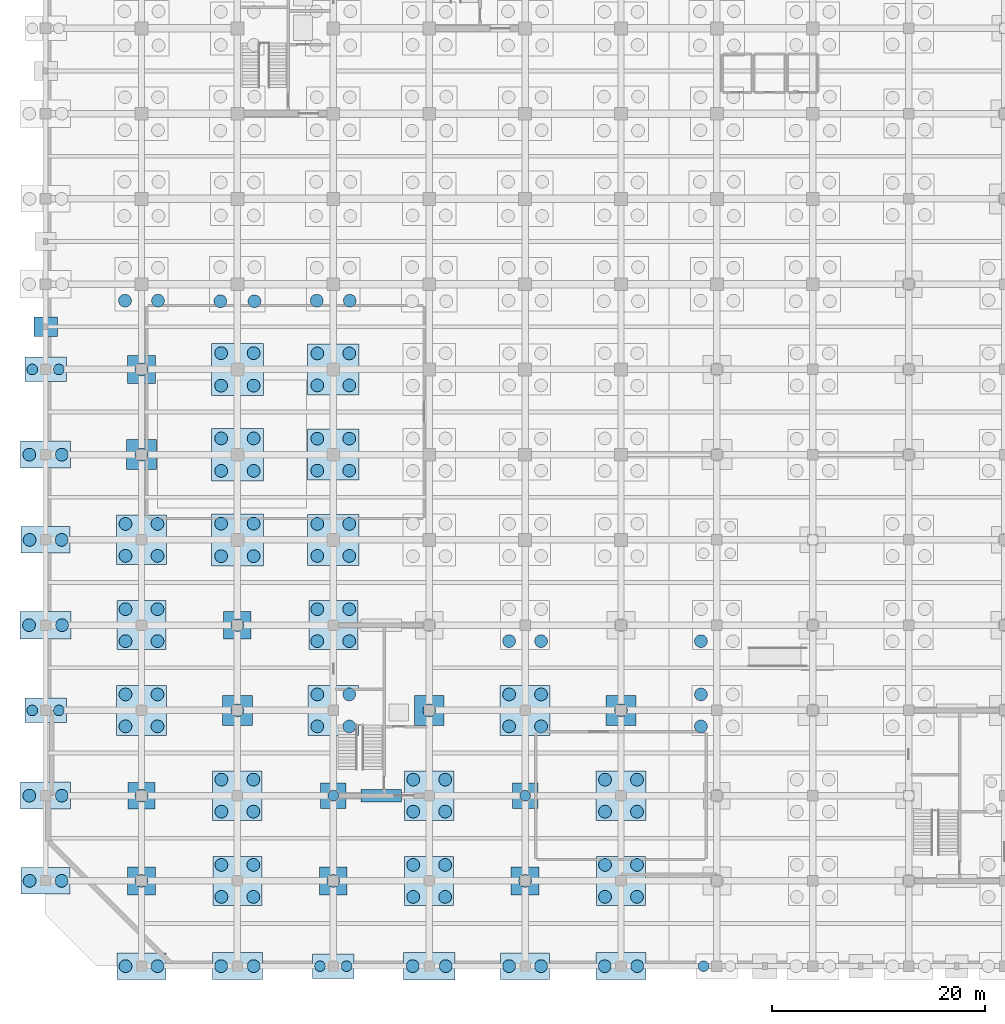
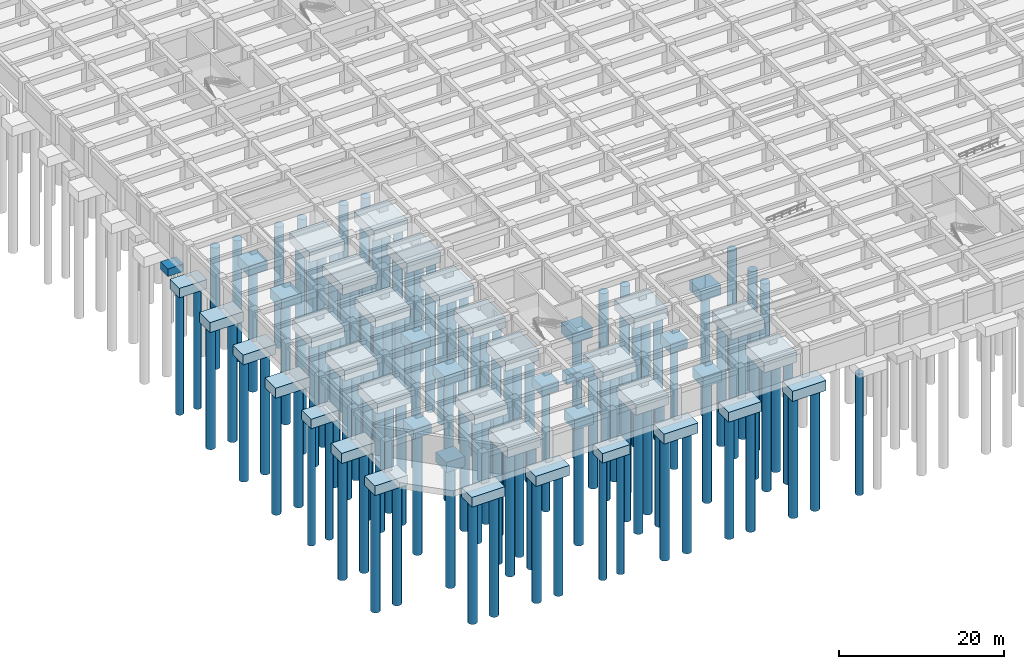
# One storey, part 1 of 31: 122 piles, 45 footings.
"""IFC4 building model written with IfcOpenShell, lengths in metres."""

from ifc_helpers import new_model, si_unit, direction, frame, origin, origin_2d, place, context, subcontext, project, spatial, polyline, rectangle, circle, outline, extrude, material, layer, layer_set, material_profile, profile_set, type_object, element, save


model = new_model("IFC4")

# Units and contexts
model_context = context("Model", 3, precision=1e-05, world=origin(), true_north=direction((0.0, 1.0)))
body_context = subcontext(model_context, "Body", "Model", "MODEL_VIEW")
ifc_project = project(units=[si_unit("LENGTHUNIT", "METRE"), si_unit("AREAUNIT", "SQUARE_METRE"), si_unit("VOLUMEUNIT", "CUBIC_METRE"), si_unit("PLANEANGLEUNIT", "RADIAN"), si_unit("MASSUNIT", "GRAM", prefix="KILO")], contexts=[model_context])

# Site, building, storey
site_placement = place(None, origin())
site = spatial("IfcSite", under=ifc_project, at=site_placement, CompositionType="ELEMENT")
building_placement = place(site_placement, origin())
building = spatial("IfcBuilding", under=site, at=building_placement, Name="Zaverband Oceanarium and Marine Research Institute", CompositionType="ELEMENT")
storey_placement = place(building_placement, frame((0.0, 0.0, -9.0)))
storey = spatial("IfcBuildingStorey", under=building, at=storey_placement, Name="B2", CompositionType="ELEMENT", Elevation=-9.0)

# Footings
ifc_material_1 = material(Name="Concrete C50/60", Category="concrete")
ifc_layer_1 = layer(ifc_material_1, 1.39990234375, Name="Concrete C50/60")
ifc_layer_set_1 = layer_set([ifc_layer_1], Name="Concrete C50/60")
footing_type_1 = type_object("IfcFootingType", Name="PC-2400x2400x1400", PredefinedType="PILE_CAP", material=ifc_layer_set_1)
for number, where, z_axis, x_axis, name in (
    (1, (27.0, 16.0, -2.300048828125), (0.0, 0.0, 1.0), (1.0, 0.0, 0.0), "Reinforced concrete pile cap PC-2400x2400x1400"),
    (2, (45.0, 16.0, -2.300048828125), (0.0, 0.0, 1.0), (1.0, 0.0, 0.0), "Reinforced concrete pile cap PC-2400x2400x1400"),
):
    element("IfcFooting", number, at=place(storey_placement, frame(where, z_axis=z_axis, x_axis=x_axis)), inside=storey, type_object=footing_type_1, Name=name, PredefinedType="PILE_CAP", context=body_context, shape_type="SweptSolid", body=[
        extrude(rectangle(XDim=2.39990234375, YDim=2.39990234375, at=origin_2d()), origin(), (0.0, 0.0, 1.0), 1.39990234375),
    ])
ifc_layer_2 = layer(ifc_material_1, 1.449951171875, Name="Concrete C50/60")
ifc_layer_set_2 = layer_set([ifc_layer_2], Name="Concrete C50/60")
footing_type_2 = type_object("IfcFootingType", Name="PC-2500x2500x1450", PredefinedType="PILE_CAP", material=ifc_layer_set_2)
footing_1_placement = place(storey_placement, frame((9.0, 16.0, -2.35009765625), z_axis=(0.0, 0.0, 1.0), x_axis=(1.0, 0.0, 0.0)))
element("IfcFooting", 3, at=footing_1_placement, inside=storey, type_object=footing_type_2, Name="Reinforced concrete pile cap PC-2500x2500x1450", PredefinedType="PILE_CAP", context=body_context, shape_type="SweptSolid", body=[
    extrude(rectangle(XDim=2.5, YDim=2.5, at=origin_2d()), origin(), (0.0, 0.0, 1.0), 1.449951171875),
])
ifc_layer_3 = layer(ifc_material_1, 1.5, Name="Concrete C50/60")
ifc_layer_set_3 = layer_set([ifc_layer_3], Name="Concrete C50/60")
footing_type_3 = type_object("IfcFootingType", Name="PC-2600x2600x1500", PredefinedType="PILE_CAP", material=ifc_layer_set_3)
for number, where, z_axis, x_axis, name in (
    (4, (9.0, 8.0, -2.39990234375), (0.0, 0.0, 1.0), (1.0, 0.0, 0.0), "Reinforced concrete pile cap PC-2600x2600x1500"),
    (5, (9.0, 56.0, -2.39990234375), (0.0, 0.0, 1.0), (1.0, 0.0, 0.0), "Reinforced concrete pile cap PC-2600x2600x1500"),
    (6, (18.0, 32.0, -2.39990234375), (0.0, 0.0, 1.0), (1.0, 0.0, 0.0), "Reinforced concrete pile cap PC-2600x2600x1500"),
    (7, (27.0, 8.0, -2.39990234375), (0.0, 0.0, 1.0), (1.0, 0.0, 0.0), "Reinforced concrete pile cap PC-2600x2600x1500"),
    (8, (45.0, 8.0, -2.39990234375), (0.0, 0.0, 1.0), (1.0, 0.0, 0.0), "Reinforced concrete pile cap PC-2600x2600x1500"),
):
    element("IfcFooting", number, at=place(storey_placement, frame(where, z_axis=z_axis, x_axis=x_axis)), inside=storey, type_object=footing_type_3, Name=name, PredefinedType="PILE_CAP", context=body_context, shape_type="SweptSolid", body=[
        extrude(rectangle(XDim=2.60009765625, YDim=2.60009765625, at=origin_2d()), origin(), (0.0, 0.0, 1.0), 1.5),
    ])
ifc_layer_4 = layer(ifc_material_1, 1.5, Name="Concrete C50/60")
ifc_layer_set_4 = layer_set([ifc_layer_4], Name="Concrete C50/60")
footing_type_4 = type_object("IfcFootingType", Name="PC-2800x2800x1500", PredefinedType="PILE_CAP", material=ifc_layer_set_4)
for number, where, z_axis, x_axis, name in (
    (9, (9.0, 48.0, -2.39990234375), (0.0, 0.0, 1.0), (1.0, 0.0, 0.0), "Reinforced concrete pile cap PC-2800x2800x1500"),
    (10, (18.0, 24.0, -2.39990234375), (0.0, 0.0, 1.0), (1.0, 0.0, 0.0), "Reinforced concrete pile cap PC-2800x2800x1500"),
    (11, (36.0, 24.0, -2.39990234375), (0.0, 0.0, 1.0), (1.0, 0.0, 0.0), "Reinforced concrete pile cap PC-2800x2800x1500"),
    (12, (54.0, 24.0, -2.39990234375), (0.0, 0.0, 1.0), (1.0, 0.0, 0.0), "Reinforced concrete pile cap PC-2800x2800x1500"),
):
    element("IfcFooting", number, at=place(storey_placement, frame(where, z_axis=z_axis, x_axis=x_axis)), inside=storey, type_object=footing_type_4, Name=name, PredefinedType="PILE_CAP", context=body_context, shape_type="SweptSolid", body=[
        extrude(rectangle(XDim=2.800048828125, YDim=2.800048828125, at=origin_2d()), origin(), (0.0, 0.0, 1.0), 1.5),
    ])
ifc_layer_5 = layer(ifc_material_1, 1.39990234375, Name="Concrete C50/60")
ifc_layer_set_5 = layer_set([ifc_layer_5], Name="Concrete C50/60")
footing_type_5 = type_object("IfcFootingType", Name="PC-3900x2300x1400", PredefinedType="PILE_CAP", material=ifc_layer_set_5)
for number, where, z_axis, x_axis, name in (
    (13, (0.0, 24.0, -2.300048828125), (0.0, 0.0, 1.0), (1.0, 0.0, 0.0), "Reinforced concrete pile cap PC-3900x2300x1400"),
    (14, (0.0, 56.0, -2.300048828125), (0.0, 0.0, 1.0), (1.0, 0.0, 0.0), "Reinforced concrete pile cap PC-3900x2300x1400"),
    (15, (27.0, 0.0, -2.300048828125), (0.0, 0.0, 1.0), (1.0, 0.0, 0.0), "Reinforced concrete pile cap PC-3900x2300x1400"),
):
    element("IfcFooting", number, at=place(storey_placement, frame(where, z_axis=z_axis, x_axis=x_axis)), inside=storey, type_object=footing_type_5, Name=name, PredefinedType="PILE_CAP", context=body_context, shape_type="SweptSolid", body=[
        extrude(rectangle(XDim=3.89990234375, YDim=2.300048828125, at=origin_2d()), origin(), (0.0, 0.0, 1.0), 1.39990234375),
    ])
ifc_layer_6 = layer(ifc_material_1, 1.449951171875, Name="Concrete C50/60")
ifc_layer_set_6 = layer_set([ifc_layer_6], Name="Concrete C50/60")
footing_type_6 = type_object("IfcFootingType", Name="PC-4600x2500x1450", PredefinedType="PILE_CAP", material=ifc_layer_set_6)
for number, where, z_axis, x_axis, name in (
    (16, (0.0, 8.0, -2.35009765625), (0.0, 0.0, 1.0), (1.0, 0.0, 0.0), "Reinforced concrete pile cap PC-4600x2500x1450"),
    (17, (0.0, 40.0, -2.35009765625), (0.0, 0.0, 1.0), (1.0, 0.0, 0.0), "Reinforced concrete pile cap PC-4600x2500x1450"),
    (18, (9.0, 0.0, -2.35009765625), (0.0, 0.0, 1.0), (1.0, 0.0, 0.0), "Reinforced concrete pile cap PC-4600x2500x1450"),
    (19, (45.0, 0.0, -2.35009765625), (0.0, 0.0, 1.0), (1.0, 0.0, 0.0), "Reinforced concrete pile cap PC-4600x2500x1450"),
):
    element("IfcFooting", number, at=place(storey_placement, frame(where, z_axis=z_axis, x_axis=x_axis)), inside=storey, type_object=footing_type_6, Name=name, PredefinedType="PILE_CAP", context=body_context, shape_type="SweptSolid", body=[
        extrude(rectangle(XDim=4.60009765625, YDim=2.5, at=origin_2d()), origin(), (0.0, 0.0, 1.0), 1.449951171875),
    ])
ifc_layer_7 = layer(ifc_material_1, 1.5, Name="Concrete C50/60")
ifc_layer_set_7 = layer_set([ifc_layer_7], Name="Concrete C50/60")
footing_type_7 = type_object("IfcFootingType", Name="PC-4600x4600x1500", PredefinedType="PILE_CAP", material=ifc_layer_set_7)
for number, where, z_axis, x_axis, name in (
    (20, (9.0, 32.0, -2.39990234375), (0.0, 0.0, 1.0), (1.0, 0.0, 0.0), "Reinforced concrete pile cap PC-4600x4600x1500"),
    (21, (18.0, 8.0, -2.39990234375), (0.0, 0.0, 1.0), (1.0, 0.0, 0.0), "Reinforced concrete pile cap PC-4600x4600x1500"),
    (22, (27.0, 32.0, -2.39990234375), (0.0, 0.0, 1.0), (1.0, 0.0, 0.0), "Reinforced concrete pile cap PC-4600x4600x1500"),
    (23, (36.0, 8.0, -2.39990234375), (0.0, 0.0, 1.0), (1.0, 0.0, 0.0), "Reinforced concrete pile cap PC-4600x4600x1500"),
    (24, (54.0, 8.0, -2.39990234375), (0.0, 0.0, 1.0), (1.0, 0.0, 0.0), "Reinforced concrete pile cap PC-4600x4600x1500"),
):
    element("IfcFooting", number, at=place(storey_placement, frame(where, z_axis=z_axis, x_axis=x_axis)), inside=storey, type_object=footing_type_7, Name=name, PredefinedType="PILE_CAP", context=body_context, shape_type="SweptSolid", body=[
        extrude(rectangle(XDim=4.60009765625, YDim=4.60009765625, at=origin_2d()), origin(), (0.0, 0.0, 1.0), 1.5),
    ])
ifc_layer_8 = layer(ifc_material_1, 1.449951171875, Name="Concrete C50/60")
ifc_layer_set_8 = layer_set([ifc_layer_8], Name="Concrete C50/60")
footing_type_8 = type_object("IfcFootingType", Name="PC-4650x4650x1450", PredefinedType="PILE_CAP", material=ifc_layer_set_8)
for number, where, z_axis, x_axis, name in (
    (25, (9.0, 40.0, -2.35009765625), (0.0, 0.0, 1.0), (1.0, 0.0, 0.0), "Reinforced concrete pile cap PC-4650x4650x1450"),
    (26, (18.0, 16.0, -2.35009765625), (0.0, 0.0, 1.0), (1.0, 0.0, 0.0), "Reinforced concrete pile cap PC-4650x4650x1450"),
    (27, (36.0, 16.0, -2.35009765625), (0.0, 0.0, 1.0), (1.0, 0.0, 0.0), "Reinforced concrete pile cap PC-4650x4650x1450"),
    (28, (54.0, 16.0, -2.35009765625), (0.0, 0.0, 1.0), (1.0, 0.0, 0.0), "Reinforced concrete pile cap PC-4650x4650x1450"),
):
    element("IfcFooting", number, at=place(storey_placement, frame(where, z_axis=z_axis, x_axis=x_axis)), inside=storey, type_object=footing_type_8, Name=name, PredefinedType="PILE_CAP", context=body_context, shape_type="SweptSolid", body=[
        extrude(rectangle(XDim=4.64990234375, YDim=4.64990234375, at=origin_2d()), origin(), (0.0, 0.0, 1.0), 1.449951171875),
    ])
ifc_layer_9 = layer(ifc_material_1, 1.5, Name="Concrete C50/60")
ifc_layer_set_9 = layer_set([ifc_layer_9], Name="Concrete C50/60")
footing_type_9 = type_object("IfcFootingType", Name="PC-4700x2550x1500", PredefinedType="PILE_CAP", material=ifc_layer_set_9)
for number, where, z_axis, x_axis, name in (
    (29, (0.0, 16.0, -2.39990234375), (0.0, 0.0, 1.0), (1.0, 0.0, 0.0), "Reinforced concrete pile cap PC-4700x2550x1500"),
    (30, (0.0, 48.0, -2.39990234375), (0.0, 0.0, 1.0), (1.0, 0.0, 0.0), "Reinforced concrete pile cap PC-4700x2550x1500"),
    (31, (18.0, 0.0, -2.39990234375), (0.0, 0.0, 1.0), (1.0, 0.0, 0.0), "Reinforced concrete pile cap PC-4700x2550x1500"),
    (32, (54.0, 0.0, -2.39990234375), (0.0, 0.0, 1.0), (1.0, 0.0, 0.0), "Reinforced concrete pile cap PC-4700x2550x1500"),
):
    element("IfcFooting", number, at=place(storey_placement, frame(where, z_axis=z_axis, x_axis=x_axis)), inside=storey, type_object=footing_type_9, Name=name, PredefinedType="PILE_CAP", context=body_context, shape_type="SweptSolid", body=[
        extrude(rectangle(XDim=4.699951171875, YDim=2.550048828125, at=origin_2d()), origin(), (0.0, 0.0, 1.0), 1.5),
    ])
ifc_layer_10 = layer(ifc_material_1, 1.5, Name="Concrete C50/60")
ifc_layer_set_10 = layer_set([ifc_layer_10], Name="Concrete C50/60")
footing_type_10 = type_object("IfcFootingType", Name="PC-4700x4700x1500", PredefinedType="PILE_CAP", material=ifc_layer_set_10)
for number, where, z_axis, x_axis, name in (
    (33, (9.0, 24.0, -2.39990234375), (0.0, 0.0, 1.0), (1.0, 0.0, 0.0), "Reinforced concrete pile cap PC-4700x4700x1500"),
    (34, (27.0, 24.0, -2.39990234375), (0.0, 0.0, 1.0), (1.0, 0.0, 0.0), "Reinforced concrete pile cap PC-4700x4700x1500"),
    (35, (45.0, 24.0, -2.39990234375), (0.0, 0.0, 1.0), (1.0, 0.0, 0.0), "Reinforced concrete pile cap PC-4700x4700x1500"),
):
    element("IfcFooting", number, at=place(storey_placement, frame(where, z_axis=z_axis, x_axis=x_axis)), inside=storey, type_object=footing_type_10, Name=name, PredefinedType="PILE_CAP", context=body_context, shape_type="SweptSolid", body=[
        extrude(rectangle(XDim=4.699951171875, YDim=4.699951171875, at=origin_2d()), origin(), (0.0, 0.0, 1.0), 1.5),
    ])
ifc_layer_11 = layer(ifc_material_1, 1.5, Name="Concrete C50/60")
ifc_layer_set_11 = layer_set([ifc_layer_11], Name="Concrete C50/60")
footing_type_11 = type_object("IfcFootingType", Name="PC-4800x2600x1500", PredefinedType="PILE_CAP", material=ifc_layer_set_11)
for number, where, z_axis, x_axis, name in (
    (36, (0.0, 32.0, -2.39990234375), (0.0, 0.0, 1.0), (1.0, 0.0, 0.0), "Reinforced concrete pile cap PC-4800x2600x1500"),
    (37, (36.0, 0.0, -2.39990234375), (0.0, 0.0, 1.0), (1.0, 0.0, 0.0), "Reinforced concrete pile cap PC-4800x2600x1500"),
):
    element("IfcFooting", number, at=place(storey_placement, frame(where, z_axis=z_axis, x_axis=x_axis)), inside=storey, type_object=footing_type_11, Name=name, PredefinedType="PILE_CAP", context=body_context, shape_type="SweptSolid", body=[
        extrude(rectangle(XDim=4.800048828125, YDim=2.60009765625, at=origin_2d()), origin(), (0.0, 0.0, 1.0), 1.5),
    ])
ifc_layer_12 = layer(ifc_material_1, 1.5, Name="Concrete C50/60")
ifc_layer_set_12 = layer_set([ifc_layer_12], Name="Concrete C50/60")
footing_type_12 = type_object("IfcFootingType", Name="PC-4800x4800x1500", PredefinedType="PILE_CAP", material=ifc_layer_set_12)
for number, where, z_axis, x_axis, name in (
    (38, (27.0, 40.0, -2.39990234375), (0.0, 0.0, 1.0), (1.0, 0.0, 0.0), "Reinforced concrete pile cap PC-4800x4800x1500"),
    (39, (27.0, 48.0, -2.39990234375), (0.0, 0.0, 1.0), (1.0, 0.0, 0.0), "Reinforced concrete pile cap PC-4800x4800x1500"),
    (40, (27.0, 56.0, -2.39990234375), (0.0, 0.0, 1.0), (1.0, 0.0, 0.0), "Reinforced concrete pile cap PC-4800x4800x1500"),
):
    element("IfcFooting", number, at=place(storey_placement, frame(where, z_axis=z_axis, x_axis=x_axis)), inside=storey, type_object=footing_type_12, Name=name, PredefinedType="PILE_CAP", context=body_context, shape_type="SweptSolid", body=[
        extrude(rectangle(XDim=4.800048828125, YDim=4.800048828125, at=origin_2d()), origin(), (0.0, 0.0, 1.0), 1.5),
    ])
ifc_layer_13 = layer(ifc_material_1, 1.5, Name="Concrete C50/60")
ifc_layer_set_13 = layer_set([ifc_layer_13], Name="Concrete C50/60")
footing_type_13 = type_object("IfcFootingType", Name="PC-4900x4900x1500", PredefinedType="PILE_CAP", material=ifc_layer_set_13)
for number, where, z_axis, x_axis, name in (
    (41, (18.0, 40.0, -2.39990234375), (0.0, 0.0, 1.0), (1.0, 0.0, 0.0), "Reinforced concrete pile cap PC-4900x4900x1500"),
    (42, (18.0, 48.0, -2.39990234375), (0.0, 0.0, 1.0), (1.0, 0.0, 0.0), "Reinforced concrete pile cap PC-4900x4900x1500"),
    (43, (18.0, 56.0, -2.39990234375), (0.0, 0.0, 1.0), (1.0, 0.0, 0.0), "Reinforced concrete pile cap PC-4900x4900x1500"),
):
    element("IfcFooting", number, at=place(storey_placement, frame(where, z_axis=z_axis, x_axis=x_axis)), inside=storey, type_object=footing_type_13, Name=name, PredefinedType="PILE_CAP", context=body_context, shape_type="SweptSolid", body=[
        extrude(rectangle(XDim=4.89990234375, YDim=4.89990234375, at=origin_2d()), origin(), (0.0, 0.0, 1.0), 1.5),
    ])
ifc_material_2 = material(Name="Concrete C40/50", Category="concrete")
ifc_layer_14 = layer(ifc_material_2, 1.10009765625, Name="Concrete C40/50")
ifc_layer_set_14 = layer_set([ifc_layer_14], Name="Concrete C40/50")
footing_type_14 = type_object("IfcFootingType", Name="PF-2200x1800x1100", PredefinedType="PAD_FOOTING", material=ifc_layer_set_14)
footing_2_placement = place(storey_placement, frame((0.0, 60.0, -2.0), z_axis=(0.0, 0.0, 1.0), x_axis=(1.0, 0.0, 0.0)))
element("IfcFooting", 44, at=footing_2_placement, inside=storey, type_object=footing_type_14, Name="Isolated pad footing PF-2200x1800x1100", PredefinedType="PAD_FOOTING", context=body_context, shape_type="SweptSolid", body=[
    extrude(rectangle(XDim=2.199951171875, YDim=1.800048828125, at=origin_2d()), origin(), (0.0, 0.0, 1.0), 1.10009765625),
])

# Piles
ifc_material_profile_1 = material_profile(ifc_material_1, circle(Radius=0.5, at=origin_2d()), Name="BP1000")
ifc_profile_set_1 = profile_set([ifc_material_profile_1], Name="Concrete C50/60")
pile_type_1 = type_object("IfcPileType", Name="PL-BP1000", PredefinedType="BORED", material=ifc_profile_set_1)
for number, where, z_axis, x_axis, name in (
    (45, (-1.25, 24.0, -2.300048828125), (0.0, 0.0, -1.0), (1.0, 0.0, 0.0), "Rotary bored cast-in-place pile PL-BP1000"),
    (46, (1.25, 24.0, -2.300048828125), (0.0, 0.0, -1.0), (1.0, 0.0, 0.0), "Rotary bored cast-in-place pile PL-BP1000"),
    (47, (-1.25, 56.0, -2.300048828125), (0.0, 0.0, -1.0), (1.0, 0.0, 0.0), "Rotary bored cast-in-place pile PL-BP1000"),
    (48, (1.25, 56.0, -2.300048828125), (0.0, 0.0, -1.0), (1.0, 0.0, 0.0), "Rotary bored cast-in-place pile PL-BP1000"),
    (49, (25.75, 0.0, -2.300048828125), (0.0, 0.0, -1.0), (1.0, 0.0, 0.0), "Rotary bored cast-in-place pile PL-BP1000"),
    (50, (28.25, 0.0, -2.300048828125), (0.0, 0.0, -1.0), (1.0, 0.0, 0.0), "Rotary bored cast-in-place pile PL-BP1000"),
    (51, (27.0, 16.0, -2.300048828125), (0.0, 0.0, -1.0), (1.0, 0.0, 0.0), "Rotary bored cast-in-place pile PL-BP1000"),
    (52, (45.0, 16.0, -2.300048828125), (0.0, 0.0, -1.0), (1.0, 0.0, 0.0), "Rotary bored cast-in-place pile PL-BP1000"),
    (53, (61.75, 0.0, -2.300048828125), (0.0, 0.0, -1.0), (1.0, 0.0, 0.0), "Rotary bored cast-in-place pile PL-BP1000"),
):
    element("IfcPile", number, at=place(storey_placement, frame(where, z_axis=z_axis, x_axis=x_axis)), inside=storey, type_object=pile_type_1, Name=name, PredefinedType="BORED", context=body_context, shape_type="SweptSolid", body=[
        extrude(circle(Radius=0.5, at=origin_2d()), origin(), (0.0, 0.0, 1.0), 18.0),
    ])
ifc_material_profile_2 = material_profile(ifc_material_1, circle(Radius=0.60009765625, at=origin_2d()), Name="BP1200")
ifc_profile_set_2 = profile_set([ifc_material_profile_2], Name="Concrete C50/60")
pile_type_2 = type_object("IfcPileType", Name="PL-BP1200", PredefinedType="BORED", material=ifc_profile_set_2)
for number, where, z_axis, x_axis, name in (
    (54, (-1.5, 8.0, -2.35009765625), (0.0, 0.0, -1.0), (1.0, 0.0, 0.0), "Rotary bored cast-in-place pile PL-BP1200"),
    (55, (1.5, 8.0, -2.35009765625), (0.0, 0.0, -1.0), (1.0, 0.0, 0.0), "Rotary bored cast-in-place pile PL-BP1200"),
    (56, (-1.52490234375, 16.0, -2.39990234375), (0.0, 0.0, -1.0), (1.0, 0.0, 0.0), "Rotary bored cast-in-place pile PL-BP1200"),
    (57, (1.52490234375, 16.0, -2.39990234375), (0.0, 0.0, -1.0), (1.0, 0.0, 0.0), "Rotary bored cast-in-place pile PL-BP1200"),
    (58, (-1.550048828125, 32.0, -2.39990234375), (0.0, 0.0, -1.0), (1.0, 0.0, 0.0), "Rotary bored cast-in-place pile PL-BP1200"),
    (59, (1.550048828125, 32.0, -2.39990234375), (0.0, 0.0, -1.0), (1.0, 0.0, 0.0), "Rotary bored cast-in-place pile PL-BP1200"),
    (60, (-1.5, 40.0, -2.35009765625), (0.0, 0.0, -1.0), (1.0, 0.0, 0.0), "Rotary bored cast-in-place pile PL-BP1200"),
    (61, (1.5, 40.0, -2.35009765625), (0.0, 0.0, -1.0), (1.0, 0.0, 0.0), "Rotary bored cast-in-place pile PL-BP1200"),
    (62, (-1.52490234375, 48.0, -2.39990234375), (0.0, 0.0, -1.0), (1.0, 0.0, 0.0), "Rotary bored cast-in-place pile PL-BP1200"),
    (63, (1.52490234375, 48.0, -2.39990234375), (0.0, 0.0, -1.0), (1.0, 0.0, 0.0), "Rotary bored cast-in-place pile PL-BP1200"),
    (64, (7.5, 0.0, -2.35009765625), (0.0, 0.0, -1.0), (1.0, 0.0, 0.0), "Rotary bored cast-in-place pile PL-BP1200"),
    (65, (10.5, 0.0, -2.35009765625), (0.0, 0.0, -1.0), (1.0, 0.0, 0.0), "Rotary bored cast-in-place pile PL-BP1200"),
    (66, (9.0, 8.0, -2.39990234375), (0.0, 0.0, -1.0), (1.0, 0.0, 0.0), "Rotary bored cast-in-place pile PL-BP1200"),
    (67, (9.0, 16.0, -2.35009765625), (0.0, 0.0, -1.0), (1.0, 0.0, 0.0), "Rotary bored cast-in-place pile PL-BP1200"),
    (68, (7.5, 22.5, -2.39990234375), (0.0, 0.0, -1.0), (1.0, 0.0, 0.0), "Rotary bored cast-in-place pile PL-BP1200"),
    (69, (10.5, 22.5, -2.39990234375), (0.0, 0.0, -1.0), (1.0, 0.0, 0.0), "Rotary bored cast-in-place pile PL-BP1200"),
    (70, (7.5, 25.5, -2.39990234375), (0.0, 0.0, -1.0), (1.0, 0.0, 0.0), "Rotary bored cast-in-place pile PL-BP1200"),
    (71, (10.5, 25.5, -2.39990234375), (0.0, 0.0, -1.0), (1.0, 0.0, 0.0), "Rotary bored cast-in-place pile PL-BP1200"),
    (72, (7.5, 30.5, -2.39990234375), (0.0, 0.0, -1.0), (1.0, 0.0, 0.0), "Rotary bored cast-in-place pile PL-BP1200"),
    (73, (10.5, 30.5, -2.39990234375), (0.0, 0.0, -1.0), (1.0, 0.0, 0.0), "Rotary bored cast-in-place pile PL-BP1200"),
    (74, (7.5, 33.5, -2.39990234375), (0.0, 0.0, -1.0), (1.0, 0.0, 0.0), "Rotary bored cast-in-place pile PL-BP1200"),
    (75, (10.5, 33.5, -2.39990234375), (0.0, 0.0, -1.0), (1.0, 0.0, 0.0), "Rotary bored cast-in-place pile PL-BP1200"),
    (76, (7.5, 38.5, -2.35009765625), (0.0, 0.0, -1.0), (1.0, 0.0, 0.0), "Rotary bored cast-in-place pile PL-BP1200"),
    (77, (10.5, 38.5, -2.35009765625), (0.0, 0.0, -1.0), (1.0, 0.0, 0.0), "Rotary bored cast-in-place pile PL-BP1200"),
    (78, (7.5, 41.5, -2.35009765625), (0.0, 0.0, -1.0), (1.0, 0.0, 0.0), "Rotary bored cast-in-place pile PL-BP1200"),
    (79, (10.5, 41.5, -2.35009765625), (0.0, 0.0, -1.0), (1.0, 0.0, 0.0), "Rotary bored cast-in-place pile PL-BP1200"),
    (80, (9.0, 48.0, -2.39990234375), (0.0, 0.0, -1.0), (1.0, 0.0, 0.0), "Rotary bored cast-in-place pile PL-BP1200"),
    (81, (9.0, 56.0, -2.39990234375), (0.0, 0.0, -1.0), (1.0, 0.0, 0.0), "Rotary bored cast-in-place pile PL-BP1200"),
    (82, (7.449951171875, 62.449951171875, -2.39990234375), (0.0, 0.0, -1.0), (1.0, 0.0, 0.0), "Rotary bored cast-in-place pile PL-BP1200"),
    (83, (10.550048828125, 62.449951171875, -2.39990234375), (0.0, 0.0, -1.0), (1.0, 0.0, 0.0), "Rotary bored cast-in-place pile PL-BP1200"),
    (84, (16.47509765625, 0.0, -2.39990234375), (0.0, 0.0, -1.0), (1.0, 0.0, 0.0), "Rotary bored cast-in-place pile PL-BP1200"),
    (85, (19.52490234375, 0.0, -2.39990234375), (0.0, 0.0, -1.0), (1.0, 0.0, 0.0), "Rotary bored cast-in-place pile PL-BP1200"),
    (86, (16.5, 6.5, -2.39990234375), (0.0, 0.0, -1.0), (1.0, 0.0, 0.0), "Rotary bored cast-in-place pile PL-BP1200"),
    (87, (19.5, 6.5, -2.39990234375), (0.0, 0.0, -1.0), (1.0, 0.0, 0.0), "Rotary bored cast-in-place pile PL-BP1200"),
    (88, (16.5, 9.5, -2.39990234375), (0.0, 0.0, -1.0), (1.0, 0.0, 0.0), "Rotary bored cast-in-place pile PL-BP1200"),
    (89, (19.5, 9.5, -2.39990234375), (0.0, 0.0, -1.0), (1.0, 0.0, 0.0), "Rotary bored cast-in-place pile PL-BP1200"),
    (90, (16.5, 14.5, -2.35009765625), (0.0, 0.0, -1.0), (1.0, 0.0, 0.0), "Rotary bored cast-in-place pile PL-BP1200"),
    (91, (19.5, 14.5, -2.35009765625), (0.0, 0.0, -1.0), (1.0, 0.0, 0.0), "Rotary bored cast-in-place pile PL-BP1200"),
    (92, (16.5, 17.5, -2.35009765625), (0.0, 0.0, -1.0), (1.0, 0.0, 0.0), "Rotary bored cast-in-place pile PL-BP1200"),
    (93, (19.5, 17.5, -2.35009765625), (0.0, 0.0, -1.0), (1.0, 0.0, 0.0), "Rotary bored cast-in-place pile PL-BP1200"),
    (94, (18.0, 24.0, -2.39990234375), (0.0, 0.0, -1.0), (1.0, 0.0, 0.0), "Rotary bored cast-in-place pile PL-BP1200"),
    (95, (18.0, 32.0, -2.39990234375), (0.0, 0.0, -1.0), (1.0, 0.0, 0.0), "Rotary bored cast-in-place pile PL-BP1200"),
    (96, (16.47509765625, 38.47509765625, -2.39990234375), (0.0, 0.0, -1.0), (1.0, 0.0, 0.0), "Rotary bored cast-in-place pile PL-BP1200"),
    (97, (19.52490234375, 38.47509765625, -2.39990234375), (0.0, 0.0, -1.0), (1.0, 0.0, 0.0), "Rotary bored cast-in-place pile PL-BP1200"),
    (98, (16.47509765625, 41.52490234375, -2.39990234375), (0.0, 0.0, -1.0), (1.0, 0.0, 0.0), "Rotary bored cast-in-place pile PL-BP1200"),
    (99, (19.52490234375, 41.52490234375, -2.39990234375), (0.0, 0.0, -1.0), (1.0, 0.0, 0.0), "Rotary bored cast-in-place pile PL-BP1200"),
    (100, (16.47509765625, 46.47509765625, -2.39990234375), (0.0, 0.0, -1.0), (1.0, 0.0, 0.0), "Rotary bored cast-in-place pile PL-BP1200"),
    (101, (19.52490234375, 46.47509765625, -2.39990234375), (0.0, 0.0, -1.0), (1.0, 0.0, 0.0), "Rotary bored cast-in-place pile PL-BP1200"),
    (102, (16.47509765625, 49.52490234375, -2.39990234375), (0.0, 0.0, -1.0), (1.0, 0.0, 0.0), "Rotary bored cast-in-place pile PL-BP1200"),
    (103, (19.52490234375, 49.52490234375, -2.39990234375), (0.0, 0.0, -1.0), (1.0, 0.0, 0.0), "Rotary bored cast-in-place pile PL-BP1200"),
    (104, (16.47509765625, 54.47509765625, -2.39990234375), (0.0, 0.0, -1.0), (1.0, 0.0, 0.0), "Rotary bored cast-in-place pile PL-BP1200"),
    (105, (19.52490234375, 54.47509765625, -2.39990234375), (0.0, 0.0, -1.0), (1.0, 0.0, 0.0), "Rotary bored cast-in-place pile PL-BP1200"),
    (106, (16.47509765625, 57.52490234375, -2.39990234375), (0.0, 0.0, -1.0), (1.0, 0.0, 0.0), "Rotary bored cast-in-place pile PL-BP1200"),
    (107, (19.52490234375, 57.52490234375, -2.39990234375), (0.0, 0.0, -1.0), (1.0, 0.0, 0.0), "Rotary bored cast-in-place pile PL-BP1200"),
    (108, (16.39990234375, 62.39990234375, -2.39990234375), (0.0, 0.0, -1.0), (1.0, 0.0, 0.0), "Rotary bored cast-in-place pile PL-BP1200"),
    (109, (19.60009765625, 62.39990234375, -2.39990234375), (0.0, 0.0, -1.0), (1.0, 0.0, 0.0), "Rotary bored cast-in-place pile PL-BP1200"),
    (110, (27.0, 8.0, -2.39990234375), (0.0, 0.0, -1.0), (1.0, 0.0, 0.0), "Rotary bored cast-in-place pile PL-BP1200"),
    (111, (25.5, 22.5, -2.39990234375), (0.0, 0.0, -1.0), (1.0, 0.0, 0.0), "Rotary bored cast-in-place pile PL-BP1200"),
    (112, (28.5, 22.5, -2.39990234375), (0.0, 0.0, -1.0), (1.0, 0.0, 0.0), "Rotary bored cast-in-place pile PL-BP1200"),
    (113, (25.5, 25.5, -2.39990234375), (0.0, 0.0, -1.0), (1.0, 0.0, 0.0), "Rotary bored cast-in-place pile PL-BP1200"),
    (114, (28.5, 25.5, -2.39990234375), (0.0, 0.0, -1.0), (1.0, 0.0, 0.0), "Rotary bored cast-in-place pile PL-BP1200"),
    (115, (25.5, 30.5, -2.39990234375), (0.0, 0.0, -1.0), (1.0, 0.0, 0.0), "Rotary bored cast-in-place pile PL-BP1200"),
    (116, (28.5, 30.5, -2.39990234375), (0.0, 0.0, -1.0), (1.0, 0.0, 0.0), "Rotary bored cast-in-place pile PL-BP1200"),
    (117, (25.5, 33.5, -2.39990234375), (0.0, 0.0, -1.0), (1.0, 0.0, 0.0), "Rotary bored cast-in-place pile PL-BP1200"),
    (118, (28.5, 33.5, -2.39990234375), (0.0, 0.0, -1.0), (1.0, 0.0, 0.0), "Rotary bored cast-in-place pile PL-BP1200"),
    (119, (25.5, 38.5, -2.39990234375), (0.0, 0.0, -1.0), (1.0, 0.0, 0.0), "Rotary bored cast-in-place pile PL-BP1200"),
    (120, (28.5, 38.5, -2.39990234375), (0.0, 0.0, -1.0), (1.0, 0.0, 0.0), "Rotary bored cast-in-place pile PL-BP1200"),
    (121, (25.5, 41.5, -2.39990234375), (0.0, 0.0, -1.0), (1.0, 0.0, 0.0), "Rotary bored cast-in-place pile PL-BP1200"),
    (122, (28.5, 41.5, -2.39990234375), (0.0, 0.0, -1.0), (1.0, 0.0, 0.0), "Rotary bored cast-in-place pile PL-BP1200"),
    (123, (25.5, 46.5, -2.39990234375), (0.0, 0.0, -1.0), (1.0, 0.0, 0.0), "Rotary bored cast-in-place pile PL-BP1200"),
    (124, (28.5, 46.5, -2.39990234375), (0.0, 0.0, -1.0), (1.0, 0.0, 0.0), "Rotary bored cast-in-place pile PL-BP1200"),
    (125, (25.5, 49.5, -2.39990234375), (0.0, 0.0, -1.0), (1.0, 0.0, 0.0), "Rotary bored cast-in-place pile PL-BP1200"),
    (126, (28.5, 49.5, -2.39990234375), (0.0, 0.0, -1.0), (1.0, 0.0, 0.0), "Rotary bored cast-in-place pile PL-BP1200"),
    (127, (25.5, 54.5, -2.39990234375), (0.0, 0.0, -1.0), (1.0, 0.0, 0.0), "Rotary bored cast-in-place pile PL-BP1200"),
    (128, (28.5, 54.5, -2.39990234375), (0.0, 0.0, -1.0), (1.0, 0.0, 0.0), "Rotary bored cast-in-place pile PL-BP1200"),
    (129, (25.5, 57.5, -2.39990234375), (0.0, 0.0, -1.0), (1.0, 0.0, 0.0), "Rotary bored cast-in-place pile PL-BP1200"),
    (130, (28.5, 57.5, -2.39990234375), (0.0, 0.0, -1.0), (1.0, 0.0, 0.0), "Rotary bored cast-in-place pile PL-BP1200"),
    (131, (25.449951171875, 62.449951171875, -2.39990234375), (0.0, 0.0, -1.0), (1.0, 0.0, 0.0), "Rotary bored cast-in-place pile PL-BP1200"),
    (132, (28.550048828125, 62.449951171875, -2.39990234375), (0.0, 0.0, -1.0), (1.0, 0.0, 0.0), "Rotary bored cast-in-place pile PL-BP1200"),
    (133, (34.449951171875, 0.0, -2.39990234375), (0.0, 0.0, -1.0), (1.0, 0.0, 0.0), "Rotary bored cast-in-place pile PL-BP1200"),
    (134, (37.550048828125, 0.0, -2.39990234375), (0.0, 0.0, -1.0), (1.0, 0.0, 0.0), "Rotary bored cast-in-place pile PL-BP1200"),
    (135, (34.5, 6.5, -2.39990234375), (0.0, 0.0, -1.0), (1.0, 0.0, 0.0), "Rotary bored cast-in-place pile PL-BP1200"),
    (136, (37.5, 6.5, -2.39990234375), (0.0, 0.0, -1.0), (1.0, 0.0, 0.0), "Rotary bored cast-in-place pile PL-BP1200"),
    (137, (34.5, 9.5, -2.39990234375), (0.0, 0.0, -1.0), (1.0, 0.0, 0.0), "Rotary bored cast-in-place pile PL-BP1200"),
    (138, (37.5, 9.5, -2.39990234375), (0.0, 0.0, -1.0), (1.0, 0.0, 0.0), "Rotary bored cast-in-place pile PL-BP1200"),
    (139, (34.5, 14.5, -2.35009765625), (0.0, 0.0, -1.0), (1.0, 0.0, 0.0), "Rotary bored cast-in-place pile PL-BP1200"),
    (140, (37.5, 14.5, -2.35009765625), (0.0, 0.0, -1.0), (1.0, 0.0, 0.0), "Rotary bored cast-in-place pile PL-BP1200"),
    (141, (34.5, 17.5, -2.35009765625), (0.0, 0.0, -1.0), (1.0, 0.0, 0.0), "Rotary bored cast-in-place pile PL-BP1200"),
    (142, (37.5, 17.5, -2.35009765625), (0.0, 0.0, -1.0), (1.0, 0.0, 0.0), "Rotary bored cast-in-place pile PL-BP1200"),
    (143, (36.0, 24.0, -2.39990234375), (0.0, 0.0, -1.0), (1.0, 0.0, 0.0), "Rotary bored cast-in-place pile PL-BP1200"),
    (144, (43.5, 0.0, -2.35009765625), (0.0, 0.0, -1.0), (1.0, 0.0, 0.0), "Rotary bored cast-in-place pile PL-BP1200"),
    (145, (46.5, 0.0, -2.35009765625), (0.0, 0.0, -1.0), (1.0, 0.0, 0.0), "Rotary bored cast-in-place pile PL-BP1200"),
    (146, (45.0, 8.0, -2.39990234375), (0.0, 0.0, -1.0), (1.0, 0.0, 0.0), "Rotary bored cast-in-place pile PL-BP1200"),
    (147, (43.5, 22.5, -2.39990234375), (0.0, 0.0, -1.0), (1.0, 0.0, 0.0), "Rotary bored cast-in-place pile PL-BP1200"),
    (148, (46.5, 22.5, -2.39990234375), (0.0, 0.0, -1.0), (1.0, 0.0, 0.0), "Rotary bored cast-in-place pile PL-BP1200"),
    (149, (43.5, 25.5, -2.39990234375), (0.0, 0.0, -1.0), (1.0, 0.0, 0.0), "Rotary bored cast-in-place pile PL-BP1200"),
    (150, (46.5, 25.5, -2.39990234375), (0.0, 0.0, -1.0), (1.0, 0.0, 0.0), "Rotary bored cast-in-place pile PL-BP1200"),
    (151, (43.5, 30.5, -2.39990234375), (0.0, 0.0, -1.0), (1.0, 0.0, 0.0), "Rotary bored cast-in-place pile PL-BP1200"),
    (152, (46.5, 30.5, -2.39990234375), (0.0, 0.0, -1.0), (1.0, 0.0, 0.0), "Rotary bored cast-in-place pile PL-BP1200"),
    (153, (52.47509765625, 0.0, -2.39990234375), (0.0, 0.0, -1.0), (1.0, 0.0, 0.0), "Rotary bored cast-in-place pile PL-BP1200"),
    (154, (55.52490234375, 0.0, -2.39990234375), (0.0, 0.0, -1.0), (1.0, 0.0, 0.0), "Rotary bored cast-in-place pile PL-BP1200"),
    (155, (52.5, 6.5, -2.39990234375), (0.0, 0.0, -1.0), (1.0, 0.0, 0.0), "Rotary bored cast-in-place pile PL-BP1200"),
    (156, (55.5, 6.5, -2.39990234375), (0.0, 0.0, -1.0), (1.0, 0.0, 0.0), "Rotary bored cast-in-place pile PL-BP1200"),
    (157, (52.5, 9.5, -2.39990234375), (0.0, 0.0, -1.0), (1.0, 0.0, 0.0), "Rotary bored cast-in-place pile PL-BP1200"),
    (158, (55.5, 9.5, -2.39990234375), (0.0, 0.0, -1.0), (1.0, 0.0, 0.0), "Rotary bored cast-in-place pile PL-BP1200"),
    (159, (52.5, 14.5, -2.35009765625), (0.0, 0.0, -1.0), (1.0, 0.0, 0.0), "Rotary bored cast-in-place pile PL-BP1200"),
    (160, (55.5, 14.5, -2.35009765625), (0.0, 0.0, -1.0), (1.0, 0.0, 0.0), "Rotary bored cast-in-place pile PL-BP1200"),
    (161, (52.5, 17.5, -2.35009765625), (0.0, 0.0, -1.0), (1.0, 0.0, 0.0), "Rotary bored cast-in-place pile PL-BP1200"),
    (162, (55.5, 17.5, -2.35009765625), (0.0, 0.0, -1.0), (1.0, 0.0, 0.0), "Rotary bored cast-in-place pile PL-BP1200"),
    (163, (54.0, 24.0, -2.39990234375), (0.0, 0.0, -1.0), (1.0, 0.0, 0.0), "Rotary bored cast-in-place pile PL-BP1200"),
    (164, (61.5, 22.5, -2.39990234375), (0.0, 0.0, -1.0), (1.0, 0.0, 0.0), "Rotary bored cast-in-place pile PL-BP1200"),
    (165, (61.5, 25.5, -2.39990234375), (0.0, 0.0, -1.0), (1.0, 0.0, 0.0), "Rotary bored cast-in-place pile PL-BP1200"),
    (166, (61.5, 30.5, -2.39990234375), (0.0, 0.0, -1.0), (1.0, 0.0, 0.0), "Rotary bored cast-in-place pile PL-BP1200"),
):
    element("IfcPile", number, at=place(storey_placement, frame(where, z_axis=z_axis, x_axis=x_axis)), inside=storey, type_object=pile_type_2, Name=name, PredefinedType="BORED", context=body_context, shape_type="SweptSolid", body=[
        extrude(circle(Radius=0.60009765625, at=origin_2d()), origin(), (0.0, 0.0, 1.0), 18.0),
    ])

# Footing
ifc_layer_15 = layer(ifc_material_1, 1.39990234375, Name="Concrete C50/60")
ifc_layer_set_15 = layer_set([ifc_layer_15], Name="Concrete C50/60")
footing_type_15 = type_object("IfcFootingType", Name="SF-1200x1400", PredefinedType="STRIP_FOOTING", material=ifc_layer_set_15)
footing_3_placement = place(storey_placement, frame((0.0, 0.0, -2.300048828125)))
element("IfcFooting", 167, at=footing_3_placement, inside=storey, type_object=footing_type_15, Name="Continuous strip / tie footing SF-1200x1400", PredefinedType="STRIP_FOOTING", context=body_context, shape_type="SweptSolid", body=[
    extrude(outline(polyline([(29.60009765625, 16.60009765625), (33.39990234375, 16.60009765625), (33.39990234375, 15.39990234375), (29.60009765625, 15.39990234375), (29.60009765625, 16.60009765625)])), origin(), (0.0, 0.0, 1.0), 1.400146484375),
])

save(model, "model.ifc")
